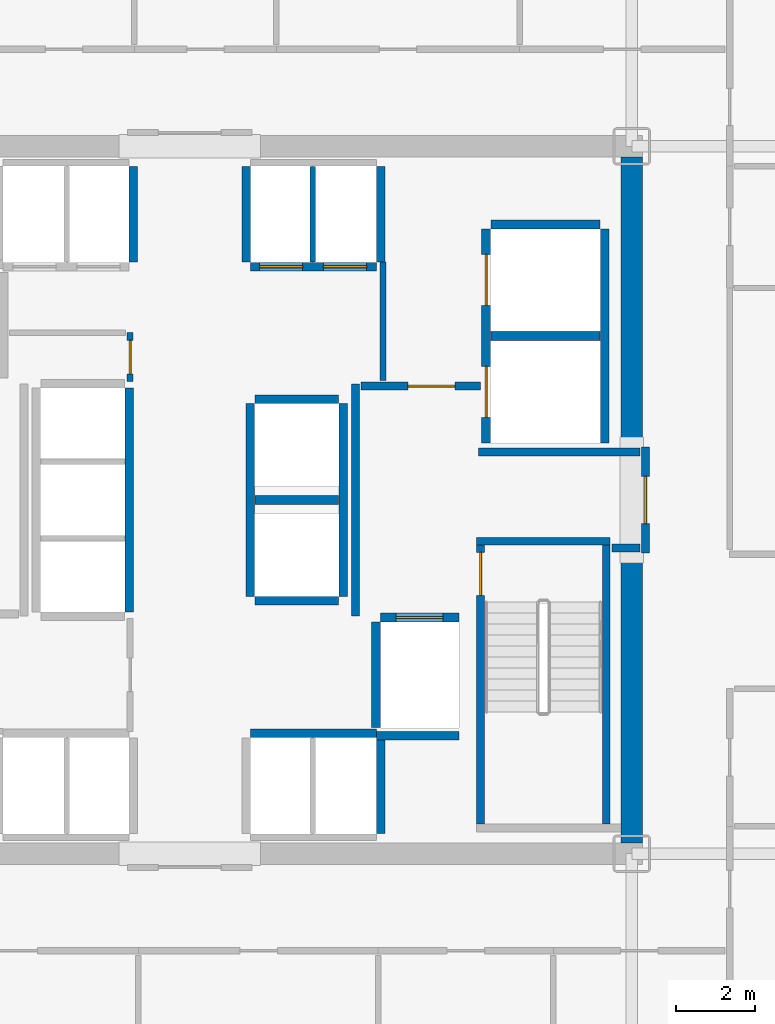
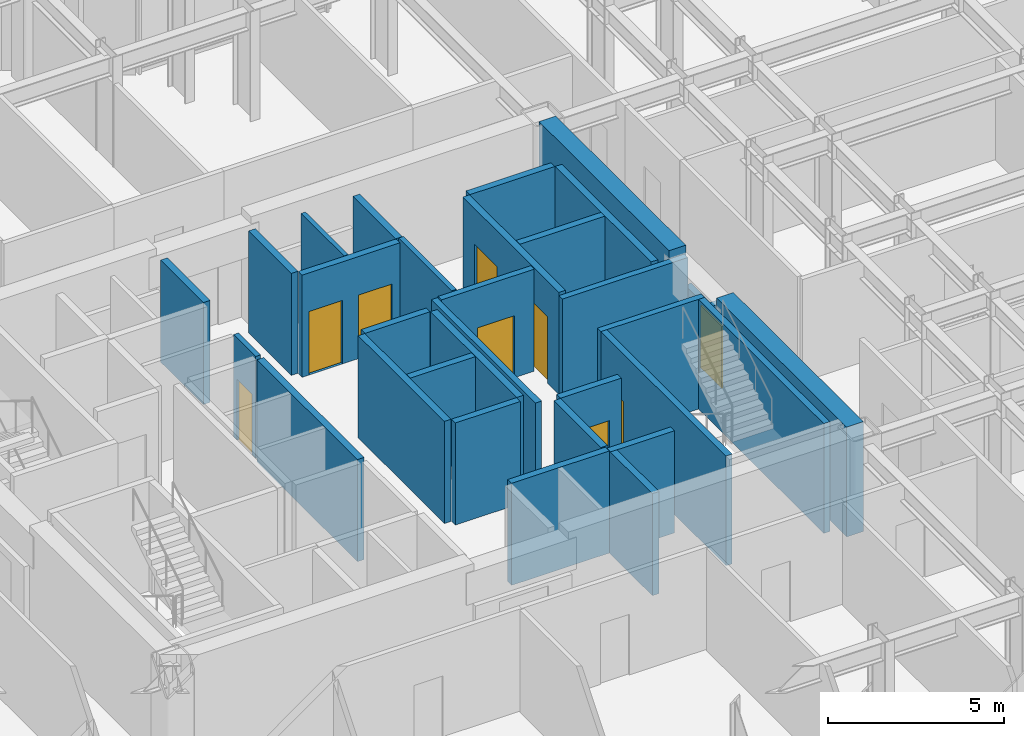
# One storey, part 22 of 26: 32 walls, 9 doors, 9 openings.
"""IFC4 building model written with IfcOpenShell, lengths in metres."""

import ifcopenshell
import ifcopenshell.guid

model = None  # the IFC model being written
_history = None  # IfcOwnerHistory: only IFC2X3 demands one
_inside = {}  # id of a spatial element -> (the spatial element, [elements in it])
_under = {}  # id of a project, library or spatial element -> (it, [spatial elements below it])
_declared = {}  # id of a project -> (the project, [libraries it declares])
_typed = {}  # id of a type object -> (the type object, [elements of that type])
_made_of = {}  # id of a material, layer set ... -> (it, [elements and type objects made of it])


def new_model(schema):
    """Start an empty IFC model of exactly this schema.

    Asked for "IFC4X3", IfcOpenShell would pick the latest addendum, in which some entities
    have other attributes; the version numbers below select the first issue.
    IFC2X3 requires an IfcOwnerHistory on every rooted entity: one is made here for all.
    """
    global model, _history
    if schema == "IFC4X3":
        model = ifcopenshell.file(schema_version=(4, 3, 0, 0))
    else:
        model = ifcopenshell.file(schema=schema)
    _inside.clear()
    _under.clear()
    _declared.clear()
    _typed.clear()
    _made_of.clear()
    _history = None
    if model.schema == "IFC2X3":
        org = make("IfcOrganization", Name="unknown")
        user = make(
            "IfcPersonAndOrganization",
            ThePerson=make("IfcPerson", FamilyName="unknown"),
            TheOrganization=org,
        )
        app = make(
            "IfcApplication",
            ApplicationDeveloper=org,
            Version="unknown",
            ApplicationFullName="unknown",
            ApplicationIdentifier="unknown",
        )
        _history = make(
            "IfcOwnerHistory",
            OwningUser=user,
            OwningApplication=app,
            ChangeAction="ADDED",
            CreationDate=0,
        )
    return model


def make(cls, **values):
    """One entity of the class cls with the attributes given. An attribute that is None is left unset."""
    return model.create_entity(
        cls, **{name: value for name, value in values.items() if value is not None}
    )


def rooted(cls, **values):
    """An entity with a GlobalId (a new one), such as an element, a storey or a relation."""
    return make(cls, GlobalId=ifcopenshell.guid.new(), OwnerHistory=_history, **values)


def si_unit(unit_type, name, prefix=None):
    """IfcSIUnit, for example si_unit("LENGTHUNIT", "METRE", prefix="MILLI")."""
    return make("IfcSIUnit", UnitType=unit_type, Prefix=prefix, Name=name)


def assignment(units):
    """IfcUnitAssignment: the units of a project."""
    return None if units is None else make("IfcUnitAssignment", Units=units)


def point(xyz):
    """IfcCartesianPoint."""
    return None if xyz is None else make("IfcCartesianPoint", Coordinates=xyz)


def direction(xyz):
    """IfcDirection."""
    return None if xyz is None else make("IfcDirection", DirectionRatios=xyz)


def frame(location, z_axis=None, x_axis=None):
    """IfcAxis2Placement3D, a coordinate frame: its origin and axes. An axis left out is left unset."""
    return make(
        "IfcAxis2Placement3D",
        Location=point(location),
        Axis=direction(z_axis),
        RefDirection=direction(x_axis),
    )


def frame_2d(location, x_axis=None):
    """IfcAxis2Placement2D, a coordinate frame in the plane: its origin and x axis."""
    return make(
        "IfcAxis2Placement2D", Location=point(location), RefDirection=direction(x_axis)
    )


def origin():
    """The frame at (0, 0, 0) with its axes left unset."""
    return frame((0.0, 0.0, 0.0))


def place(relative_to, where):
    """IfcLocalPlacement: puts the frame where relative to a parent placement (None: the world)."""
    return make(
        "IfcLocalPlacement", PlacementRelTo=relative_to, RelativePlacement=where
    )


def context(
    kind, dimensions, precision=None, world=None, true_north=None, identifier=None
):
    """IfcGeometricRepresentationContext, for example the 3D "Model" context."""
    return make(
        "IfcGeometricRepresentationContext",
        ContextIdentifier=identifier,
        ContextType=kind,
        CoordinateSpaceDimension=dimensions,
        Precision=precision,
        WorldCoordinateSystem=world,
        TrueNorth=true_north,
    )


def subcontext(parent, identifier, kind, view, scale=None):
    """IfcGeometricRepresentationSubContext, for example "Body" below "Model"."""
    return make(
        "IfcGeometricRepresentationSubContext",
        ContextIdentifier=identifier,
        ContextType=kind,
        ParentContext=parent,
        TargetScale=scale,
        TargetView=view,
    )


def project(units=None, contexts=None):
    """IfcProject with its units and contexts."""
    return rooted(
        "IfcProject",
        Name="project",
        RepresentationContexts=contexts,
        UnitsInContext=assignment(units),
    )


def spatial(cls, under=None, at=None, **own):
    """A site, building, storey or space (cls), placed at a placement, below another one or the project."""
    s = rooted(cls, ObjectPlacement=at, **own)
    if under is not None:
        _under.setdefault(under.id(), (under, []))[1].append(s)
    return s


def profile(cls, at=None, kind="AREA", **sizes):
    """A parametric profile (cls). Its sizes go by their IFC names, for example OverallWidth=200.0."""
    return make(cls, ProfileType=kind, Position=at, **sizes)


def rectangle(**sizes):
    """IfcRectangleProfileDef."""
    return profile("IfcRectangleProfileDef", **sizes)


def extrude(swept, where, along, depth):
    """IfcExtrudedAreaSolid: the profile swept, set in the frame where, extruded along a direction by depth."""
    return make(
        "IfcExtrudedAreaSolid",
        SweptArea=swept,
        Position=where,
        ExtrudedDirection=direction(along),
        Depth=depth,
    )


def shape(context_of_items, identifier, shape_type, items):
    """IfcShapeRepresentation: the items that make up one representation, for example the "Body"."""
    return make(
        "IfcShapeRepresentation",
        ContextOfItems=context_of_items,
        RepresentationIdentifier=identifier,
        RepresentationType=shape_type,
        Items=items,
    )


def source(mapping_origin, context_of_items, identifier, shape_type, items):
    """IfcRepresentationMap: a shape defined once, which mapped items show again and again."""
    return make(
        "IfcRepresentationMap",
        MappingOrigin=mapping_origin,
        MappedRepresentation=shape(context_of_items, identifier, shape_type, items),
    )


def transform(
    local_origin,
    x_axis=None,
    y_axis=None,
    z_axis=None,
    scale=None,
    scale2=None,
    scale3=None,
    uniform=True,
):
    """IfcCartesianTransformationOperator3D, or its non-uniform kind. x_axis, y_axis, z_axis: its Axis1, 2, 3."""
    if uniform:
        return make(
            "IfcCartesianTransformationOperator3D",
            Axis1=direction(x_axis),
            Axis2=direction(y_axis),
            LocalOrigin=point(local_origin),
            Scale=scale,
            Axis3=direction(z_axis),
        )
    return make(
        "IfcCartesianTransformationOperator3DnonUniform",
        Axis1=direction(x_axis),
        Axis2=direction(y_axis),
        LocalOrigin=point(local_origin),
        Scale=scale,
        Axis3=direction(z_axis),
        Scale2=scale2,
        Scale3=scale3,
    )


def mapped(mapping_source, mapping_target):
    """IfcMappedItem: shows the shape of a source again, moved by a transform."""
    return make(
        "IfcMappedItem", MappingSource=mapping_source, MappingTarget=mapping_target
    )


def material(Name=None, Category=None):
    """IfcMaterial."""
    return make("IfcMaterial", Name=Name, Category=Category)


def layer(
    of_material, thickness, ventilated=None, Name=None, Category=None, Priority=None
):
    """IfcMaterialLayer: one layer of a wall or slab, of a material (None: an air gap)."""
    return make(
        "IfcMaterialLayer",
        Material=of_material,
        LayerThickness=thickness,
        IsVentilated=ventilated,
        Name=Name,
        Category=Category,
        Priority=Priority,
    )


def layer_set(layers, Name=None):
    """IfcMaterialLayerSet."""
    return make("IfcMaterialLayerSet", MaterialLayers=layers, LayerSetName=Name)


def made_of(thing, what):
    """Note that an element or type object is made of a material, layer set ...; save() writes the relation."""
    if what is not None:
        _made_of.setdefault(what.id(), (what, []))[1].append(thing)
    return thing


def type_object(cls, material=None, **own):
    """A type object (cls), such as IfcWallType, which elements share."""
    return made_of(rooted(cls, **own), material)


def element(
    cls,
    number,
    at=None,
    inside=None,
    cuts=None,
    type_object=None,
    material=None,
    context=None,
    identifier="Body",
    shape_type=None,
    held_by="IfcProductDefinitionShape",
    body=None,
    shapes=None,
    **own,
):
    """One element of the class cls, such as IfcWall. Its Tag is "e" and its number.

    at: its placement. inside: the storey or other place that contains it. cuts: it is an
    opening in that element (IfcRelVoidsElement). A single representation is given by context,
    identifier, shape_type and body (its items); several are given by shapes. held_by: the class
    of the entity that holds the representations. save() writes the other relations.
    """
    e = rooted(cls, Tag="e%d" % number, ObjectPlacement=at, **own)
    if body is not None:
        shapes = [shape(context, identifier, shape_type, body)]
    if shapes is not None:
        e.Representation = make(held_by, Representations=shapes)
    if inside is not None:
        _inside.setdefault(inside.id(), (inside, []))[1].append(e)
    if cuts is not None:
        rooted(
            "IfcRelVoidsElement", RelatingBuildingElement=cuts, RelatedOpeningElement=e
        )
    if type_object is not None:
        _typed.setdefault(type_object.id(), (type_object, []))[1].append(e)
    return made_of(e, material)


def fill(opening, filler):
    """IfcRelFillsElement: the door or window that sits in an opening."""
    return rooted(
        "IfcRelFillsElement",
        RelatingOpeningElement=opening,
        RelatedBuildingElement=filler,
    )


def aggregate(whole, parts):
    """IfcRelAggregates: a whole, such as a stair, and the parts it consists of."""
    return rooted("IfcRelAggregates", RelatingObject=whole, RelatedObjects=parts)


def save(model, path):
    """Write the relations noted so far, then the file.

    IfcRelAggregates (storeys below a building ...), IfcRelContainedInSpatialStructure (elements
    in a storey), IfcRelDefinesByType, IfcRelAssociatesMaterial and IfcRelDeclares: one each for
    every whole, place, type object, material and project.
    """
    for whole, parts in _under.values():
        aggregate(whole, parts)
    for where, things in _inside.values():
        rooted(
            "IfcRelContainedInSpatialStructure",
            RelatedElements=things,
            RelatingStructure=where,
        )
    for kind, things in _typed.values():
        rooted("IfcRelDefinesByType", RelatedObjects=things, RelatingType=kind)
    for what, things in _made_of.values():
        rooted("IfcRelAssociatesMaterial", RelatedObjects=things, RelatingMaterial=what)
    for by, libraries in _declared.values():
        rooted("IfcRelDeclares", RelatingContext=by, RelatedDefinitions=libraries)
    model.write(path)


model = new_model("IFC4")

# Units and contexts
model_context = context("Model", 3, precision=1e-05, world=origin(), true_north=direction((0.0, 1.0)))
body_context = subcontext(model_context, "Body", "Model", "MODEL_VIEW")
ifc_project = project(units=[si_unit("LENGTHUNIT", "METRE"), si_unit("AREAUNIT", "SQUARE_METRE"), si_unit("VOLUMEUNIT", "CUBIC_METRE"), si_unit("PLANEANGLEUNIT", "RADIAN"), si_unit("MASSUNIT", "GRAM", prefix="KILO")], contexts=[model_context])

# Site, building, storey
site_placement = place(None, origin())
site = spatial("IfcSite", under=ifc_project, at=site_placement, CompositionType="ELEMENT")
building_placement = place(site_placement, origin())
building = spatial("IfcBuilding", under=site, at=building_placement, Name="Nefas-Gora Pilgrimage Tower", CompositionType="ELEMENT")
storey_placement = place(building_placement, frame((0.0, 0.0, 132.60009765625)))
storey = spatial("IfcBuildingStorey", under=building, at=storey_placement, Name="L32", CompositionType="ELEMENT", Elevation=132.60009765625)

# Walls
ifc_material_1 = material(Name="Concrete C60/75", Category="concrete")
ifc_layer_1 = layer(ifc_material_1, 0.550048828125)
ifc_layer_set_1 = layer_set([ifc_layer_1], Name="Concrete C60/75")
wall_type_1 = type_object("IfcWallType", Name="SW-CORE-550", PredefinedType="SHEAR", material=ifc_layer_set_1)
shared_shape_1 = source(origin(), body_context, "Body", "SweptSolid", [
    extrude(rectangle(XDim=7.375, YDim=0.550048828125, at=frame_2d((3.6875, 0.0))), origin(), (0.0, 0.0, 1.0), 3.7998046875),
])
for number, where, z_axis, x_axis, name in (
    (1, (11.25, -8.72509765625, 0.0), (0.0, 0.0, 1.0), (0.0, 1.0, 0.0), "L32 Core Shear Wall E-South"),
    (2, (11.25, 1.35009765625, 0.0), (0.0, 0.0, 1.0), (0.0, 1.0, 0.0), "L32 Core Shear Wall E-North"),
):
    element("IfcWall", number, at=place(storey_placement, frame(where, z_axis=z_axis, x_axis=x_axis)), inside=storey, type_object=wall_type_1, Name=name, PredefinedType="SHEAR", context=body_context, shape_type="MappedRepresentation", body=[
        mapped(shared_shape_1, transform((0.0, 0.0, 0.0), x_axis=(1.0, 0.0, 0.0), y_axis=(0.0, 1.0, 0.0), z_axis=(0.0, 0.0, 1.0), scale=1.0)),
    ])
ifc_material_2 = material(Name="Concrete C45/55", Category="concrete")
ifc_layer_2 = layer(ifc_material_2, 0.199951171875)
ifc_layer_set_2 = layer_set([ifc_layer_2], Name="Concrete C45/55")
wall_type_2 = type_object("IfcWallType", Name="IW-STAIR-200", PredefinedType="SOLIDWALL", material=ifc_layer_set_2)
shared_shape_2 = source(origin(), body_context, "Body", "SweptSolid", [
    extrude(rectangle(XDim=3.39990234375, YDim=0.199951171875, at=frame_2d((1.699951171875, 0.0))), origin(), (0.0, 0.0, 1.0), 3.7998046875),
])
wall_1_placement = place(storey_placement, frame((7.300048828125, -1.050048828125, 0.0), z_axis=(0.0, 0.0, 1.0), x_axis=(1.0, 0.0, 0.0)))
element("IfcWall", 3, at=wall_1_placement, inside=storey, type_object=wall_type_2, Name="L32 Stairwell Shear Wall ST-02-near", PredefinedType="SOLIDWALL", context=body_context, shape_type="MappedRepresentation", body=[
    mapped(shared_shape_2, transform((0.0, 0.0, 0.0), x_axis=(1.0, 0.0, 0.0), y_axis=(0.0, 1.0, 0.0), z_axis=(0.0, 0.0, 1.0), scale=1.0)),
])

# Wall, opening, door
shared_shape_3 = source(origin(), body_context, "Body", "SweptSolid", [
    extrude(rectangle(XDim=7.10009765625, YDim=0.199951171875, at=frame_2d((3.550048828125, 0.0))), origin(), (0.0, 0.0, 1.0), 3.7998046875),
])
wall_2_placement = place(storey_placement, frame((7.39990234375, -1.14990234375, 0.0), z_axis=(0.0, 0.0, 1.0), x_axis=(0.0, -1.0, 0.0)))
wall_2 = element("IfcWall", 4, at=wall_2_placement, inside=storey, type_object=wall_type_2, Name="L32 Stairwell Shear Wall ST-02-left", PredefinedType="SOLIDWALL", context=body_context, shape_type="MappedRepresentation", body=[
    mapped(shared_shape_3, transform((0.0, 0.0, 0.0), x_axis=(1.0, 0.0, 0.0), y_axis=(0.0, 1.0, 0.0), z_axis=(0.0, 0.0, 1.0), scale=1.0)),
])
opening_1_placement = place(wall_2_placement, frame((0.179931640625, 0.0, 0.0)))
opening_1 = element("IfcOpeningElement", 5, at=opening_1_placement, cuts=wall_2, Name="Opening ID-ST1", PredefinedType="OPENING", context=body_context, shape_type="SweptSolid", body=[
    extrude(rectangle(XDim=1.10009765625, YDim=2.14990234375, at=frame_2d((0.550048828125, 1.074951171875))), frame((0.0, 0.10986328125, 0.0), z_axis=(0.0, -1.0, 0.0), x_axis=(1.0, 0.0, 0.0)), (0.0, 0.0, 1.0), 0.219970703125),
])
ifc_material_3 = material(Name="Painted galvanised steel fire stair door", Category="steel")
door_type_1 = type_object("IfcDoorType", Name="DR-INT-STAIR-1100", OperationType="NOTDEFINED", PredefinedType="DOOR", material=ifc_material_3)
shared_shape_4 = source(origin(), body_context, "Body", "SweptSolid", [
    extrude(rectangle(XDim=1.10009765625, YDim=2.14990234375, at=frame_2d((0.550048828125, 1.074951171875))), frame((0.0, 0.02490234375, 0.0), z_axis=(0.0, -1.0, 0.0), x_axis=(1.0, 0.0, 0.0)), (0.0, 0.0, 1.0), 0.050048828125),
])
door_1_placement = place(opening_1_placement, origin())
door_1 = element("IfcDoor", 6, at=door_1_placement, inside=storey, type_object=door_type_1, Name="L32 Protected Exit Stair Door ST-02", OperationType="SINGLE_SWING_LEFT", OverallHeight=2.14990234375, OverallWidth=1.10009765625, PredefinedType="DOOR", context=body_context, shape_type="MappedRepresentation", body=[
    mapped(shared_shape_4, transform((0.0, 0.0, 0.0), x_axis=(1.0, 0.0, 0.0), y_axis=(0.0, 1.0, 0.0), z_axis=(0.0, 0.0, 1.0), scale=1.0)),
])
fill(opening_1, door_1)

# Wall
wall_3_placement = place(storey_placement, frame((10.60009765625, -1.14990234375, 0.0), z_axis=(0.0, 0.0, 1.0), x_axis=(0.0, -1.0, 0.0)))
element("IfcWall", 7, at=wall_3_placement, inside=storey, type_object=wall_type_2, Name="L32 Stairwell Shear Wall ST-02-right", PredefinedType="SOLIDWALL", context=body_context, shape_type="MappedRepresentation", body=[
    mapped(shared_shape_3, transform((0.0, 0.0, 0.0), x_axis=(1.0, 0.0, 0.0), y_axis=(0.0, 1.0, 0.0), z_axis=(0.0, 0.0, 1.0), scale=1.0)),
])

# Wall, opening, door
ifc_material_4 = material(Name="Concrete C40/50", Category="concrete")
ifc_layer_3 = layer(ifc_material_4, 0.219970703125)
ifc_layer_set_3 = layer_set([ifc_layer_3], Name="Concrete C40/50")
wall_type_3 = type_object("IfcWallType", Name="IW-SHAFT-220", PredefinedType="SOLIDWALL", material=ifc_layer_set_3)
shared_shape_5 = source(origin(), body_context, "Body", "SweptSolid", [
    extrude(rectangle(XDim=2.0, YDim=0.219970703125, at=frame_2d((1.0, 0.0))), origin(), (0.0, 0.0, 1.0), 3.534912109375),
])
wall_4_placement = place(storey_placement, frame((6.85009765625, -2.989990234375, 0.0), z_axis=(0.0, 0.0, 1.0), x_axis=(-1.0, 0.0, 0.0)))
wall_4 = element("IfcWall", 8, at=wall_4_placement, inside=storey, type_object=wall_type_3, Name="L32 Hoistway Wall FFL-02-N", PredefinedType="SOLIDWALL", context=body_context, shape_type="MappedRepresentation", body=[
    mapped(shared_shape_5, transform((0.0, 0.0, 0.0), x_axis=(1.0, 0.0, 0.0), y_axis=(0.0, 1.0, 0.0), z_axis=(0.0, 0.0, 1.0), scale=1.0)),
])
opening_2_placement = place(wall_4_placement, frame((0.39990234375, 0.0, 0.0)))
opening_2 = element("IfcOpeningElement", 9, at=opening_2_placement, cuts=wall_4, Name="Opening LD-FF", PredefinedType="OPENING", context=body_context, shape_type="SweptSolid", body=[
    extrude(rectangle(XDim=1.199951171875, YDim=2.199951171875, at=frame_2d((0.60009765625, 1.10009765625))), frame((0.0, 0.119873046875, 0.0), z_axis=(0.0, -1.0, 0.0), x_axis=(1.0, 0.0, 0.0)), (0.0, 0.0, 1.0), 0.239990234375),
])
ifc_material_5 = material(Name="Fire-service sliding lift landing door")
door_type_2 = type_object("IfcDoorType", Name="DR-LIFT-FSAE-1200", OperationType="SLIDING_TO_LEFT", PredefinedType="DOOR", material=ifc_material_5)
shared_shape_6 = source(origin(), body_context, "Body", "SweptSolid", [
    extrude(rectangle(XDim=1.199951171875, YDim=2.199951171875, at=frame_2d((0.60009765625, 1.10009765625))), frame((0.0, 0.02490234375, 0.0), z_axis=(0.0, -1.0, 0.0), x_axis=(1.0, 0.0, 0.0)), (0.0, 0.0, 1.0), 0.050048828125),
])
door_2_placement = place(opening_2_placement, origin())
door_2 = element("IfcDoor", 10, at=door_2_placement, inside=storey, type_object=door_type_2, Name="L32 Sliding Lift Landing Door FFL-02", OperationType="SLIDING_TO_LEFT", OverallHeight=2.199951171875, OverallWidth=1.199951171875, PredefinedType="DOOR", context=body_context, shape_type="MappedRepresentation", body=[
    mapped(shared_shape_6, transform((0.0, 0.0, 0.0), x_axis=(1.0, 0.0, 0.0), y_axis=(0.0, 1.0, 0.0), z_axis=(0.0, 0.0, 1.0), scale=1.0)),
])
fill(opening_2, door_2)

# Wall
shared_shape_7 = source(origin(), body_context, "Body", "SweptSolid", [
    extrude(rectangle(XDim=2.679931640625, YDim=0.219970703125, at=frame_2d((1.33984375, 0.0))), origin(), (0.0, 0.0, 1.0), 3.534912109375),
])
wall_5_placement = place(storey_placement, frame((4.739990234375, -3.110107421875, 0.0), z_axis=(0.0, 0.0, 1.0), x_axis=(0.0, -1.0, 0.0)))
element("IfcWall", 11, at=wall_5_placement, inside=storey, type_object=wall_type_3, Name="L32 Hoistway Wall FFL-02-W", PredefinedType="SOLIDWALL", context=body_context, shape_type="MappedRepresentation", body=[
    mapped(shared_shape_7, transform((0.0, 0.0, 0.0), x_axis=(1.0, 0.0, 0.0), y_axis=(0.0, 1.0, 0.0), z_axis=(0.0, 0.0, 1.0), scale=1.0)),
])

# Wall, openings, doors
shared_shape_8 = source(origin(), body_context, "Body", "SweptSolid", [
    extrude(rectangle(XDim=5.449951171875, YDim=0.219970703125, at=frame_2d((2.72509765625, 0.0))), origin(), (0.0, 0.0, 1.0), 3.534912109375),
])
wall_6_placement = place(storey_placement, frame((7.5400390625, 6.89990234375, 0.0), z_axis=(0.0, 0.0, 1.0), x_axis=(0.0, -1.0, 0.0)))
wall_6 = element("IfcWall", 12, at=wall_6_placement, inside=storey, type_object=wall_type_3, Name="L32 Hoistway Wall SL-01-02-W", PredefinedType="SOLIDWALL", context=body_context, shape_type="MappedRepresentation", body=[
    mapped(shared_shape_8, transform((0.0, 0.0, 0.0), x_axis=(1.0, 0.0, 0.0), y_axis=(0.0, 1.0, 0.0), z_axis=(0.0, 0.0, 1.0), scale=1.0)),
])
opening_3_placement = place(wall_6_placement, frame((3.5, 0.0, 0.0)))
opening_3 = element("IfcOpeningElement", 13, at=opening_3_placement, cuts=wall_6, Name="Opening LD-SV", PredefinedType="OPENING", context=body_context, shape_type="SweptSolid", body=[
    extrude(rectangle(XDim=1.300048828125, YDim=2.300048828125, at=frame_2d((0.64990234375, 1.14990234375))), frame((0.0, 0.119873046875, 0.0), z_axis=(0.0, -1.0, 0.0), x_axis=(1.0, 0.0, 0.0)), (0.0, 0.0, 1.0), 0.239990234375),
])
opening_4_placement = place(wall_6_placement, frame((0.64990234375, 0.0, 0.0)))
opening_4 = element("IfcOpeningElement", 14, at=opening_4_placement, cuts=wall_6, Name="Opening LD-SV", PredefinedType="OPENING", context=body_context, shape_type="SweptSolid", body=[
    extrude(rectangle(XDim=1.300048828125, YDim=2.300048828125, at=frame_2d((0.64990234375, 1.14990234375))), frame((0.0, 0.119873046875, 0.0), z_axis=(0.0, -1.0, 0.0), x_axis=(1.0, 0.0, 0.0)), (0.0, 0.0, 1.0), 0.239990234375),
])
ifc_material_6 = material(Name="Heavy goods sliding lift landing door")
door_type_3 = type_object("IfcDoorType", Name="DR-LIFT-SERV-1300", OperationType="SLIDING_TO_RIGHT", PredefinedType="DOOR", material=ifc_material_6)
shared_shape_9 = source(origin(), body_context, "Body", "SweptSolid", [
    extrude(rectangle(XDim=1.300048828125, YDim=2.300048828125, at=frame_2d((0.64990234375, 1.14990234375))), frame((0.0, 0.02490234375, 0.0), z_axis=(0.0, -1.0, 0.0), x_axis=(1.0, 0.0, 0.0)), (0.0, 0.0, 1.0), 0.050048828125),
])
door_3_placement = place(opening_3_placement, origin())
door_3 = element("IfcDoor", 15, at=door_3_placement, inside=storey, type_object=door_type_3, Name="L32 Sliding Lift Landing Door SL-01", OperationType="SLIDING_TO_RIGHT", OverallHeight=2.300048828125, OverallWidth=1.300048828125, PredefinedType="DOOR", context=body_context, shape_type="MappedRepresentation", body=[
    mapped(shared_shape_9, transform((0.0, 0.0, 0.0), x_axis=(1.0, 0.0, 0.0), y_axis=(0.0, 1.0, 0.0), z_axis=(0.0, 0.0, 1.0), scale=1.0)),
])
fill(opening_3, door_3)
door_4_placement = place(opening_4_placement, origin())
door_4 = element("IfcDoor", 16, at=door_4_placement, inside=storey, type_object=door_type_3, Name="L32 Sliding Lift Landing Door SL-02", OperationType="SLIDING_TO_RIGHT", OverallHeight=2.300048828125, OverallWidth=1.300048828125, PredefinedType="DOOR", context=body_context, shape_type="MappedRepresentation", body=[
    mapped(shared_shape_9, transform((0.0, 0.0, 0.0), x_axis=(1.0, 0.0, 0.0), y_axis=(0.0, 1.0, 0.0), z_axis=(0.0, 0.0, 1.0), scale=1.0)),
])
fill(opening_4, door_4)

# Walls
wall_7_placement = place(storey_placement, frame((10.56005859375, 1.449951171875, 0.0), z_axis=(0.0, 0.0, 1.0), x_axis=(0.0, 1.0, 0.0)))
element("IfcWall", 17, at=wall_7_placement, inside=storey, type_object=wall_type_3, Name="L32 Hoistway Wall SL-01-02-E", PredefinedType="SOLIDWALL", context=body_context, shape_type="MappedRepresentation", body=[
    mapped(shared_shape_8, transform((0.0, 0.0, 0.0), x_axis=(1.0, 0.0, 0.0), y_axis=(0.0, 1.0, 0.0), z_axis=(0.0, 0.0, 1.0), scale=1.0)),
])
shared_shape_10 = source(origin(), body_context, "Body", "SweptSolid", [
    extrude(rectangle(XDim=2.780029296875, YDim=0.219970703125, at=frame_2d((1.39013671875, 0.0))), origin(), (0.0, 0.0, 1.0), 3.534912109375),
])
for number, where, z_axis, x_axis, name in (
    (18, (7.659912109375, 4.175048828125, 0.0), (0.0, 0.0, 1.0), (1.0, 0.0, 0.0), "L32 Hoistway Wall SL-01-02-DIV"),
    (19, (10.43994140625, 7.010009765625, 0.0), (0.0, 0.0, 1.0), (-1.0, 0.0, 0.0), "L32 Hoistway Wall SL-02-N"),
):
    element("IfcWall", number, at=place(storey_placement, frame(where, z_axis=z_axis, x_axis=x_axis)), inside=storey, type_object=wall_type_3, Name=name, PredefinedType="SOLIDWALL", context=body_context, shape_type="MappedRepresentation", body=[
        mapped(shared_shape_10, transform((0.0, 0.0, 0.0), x_axis=(1.0, 0.0, 0.0), y_axis=(0.0, 1.0, 0.0), z_axis=(0.0, 0.0, 1.0), scale=1.0)),
    ])

# Wall, openings, doors
shared_shape_11 = source(origin(), body_context, "Body", "SweptSolid", [
    extrude(rectangle(XDim=3.199951171875, YDim=0.219970703125, at=frame_2d((1.60009765625, 0.0))), origin(), (0.0, 0.0, 1.0), 3.534912109375),
])
wall_8_placement = place(storey_placement, frame((1.550048828125, 5.93994140625, 0.0), z_axis=(0.0, 0.0, 1.0), x_axis=(1.0, 0.0, 0.0)))
wall_8 = element("IfcWall", 20, at=wall_8_placement, inside=storey, type_object=wall_type_3, Name="L32 Hoistway Wall PL1-E-S", PredefinedType="SOLIDWALL", context=body_context, shape_type="MappedRepresentation", body=[
    mapped(shared_shape_11, transform((0.0, 0.0, 0.0), x_axis=(1.0, 0.0, 0.0), y_axis=(0.0, 1.0, 0.0), z_axis=(0.0, 0.0, 1.0), scale=1.0)),
])
opening_5_placement = place(wall_8_placement, frame((0.22509765625, 0.0, 0.0)))
opening_5 = element("IfcOpeningElement", 21, at=opening_5_placement, cuts=wall_8, Name="Opening LD-01", PredefinedType="OPENING", context=body_context, shape_type="SweptSolid", body=[
    extrude(rectangle(XDim=1.10009765625, YDim=2.199951171875, at=frame_2d((0.550048828125, 1.10009765625))), frame((0.0, 0.119873046875, 0.0), z_axis=(0.0, -1.0, 0.0), x_axis=(1.0, 0.0, 0.0)), (0.0, 0.0, 1.0), 0.239990234375),
])
opening_6_placement = place(wall_8_placement, frame((1.85009765625, 0.0, 0.0)))
opening_6 = element("IfcOpeningElement", 22, at=opening_6_placement, cuts=wall_8, Name="Opening LD-01", PredefinedType="OPENING", context=body_context, shape_type="SweptSolid", body=[
    extrude(rectangle(XDim=1.10009765625, YDim=2.199951171875, at=frame_2d((0.550048828125, 1.10009765625))), frame((0.0, 0.119873046875, 0.0), z_axis=(0.0, -1.0, 0.0), x_axis=(1.0, 0.0, 0.0)), (0.0, 0.0, 1.0), 0.239990234375),
])
ifc_material_7 = material(Name="Brushed stainless sliding lift landing door")
door_type_4 = type_object("IfcDoorType", Name="DR-LIFT-PASS-1100", OperationType="DOUBLE_DOOR_SLIDING", PredefinedType="DOOR", material=ifc_material_7)
shared_shape_12 = source(origin(), body_context, "Body", "SweptSolid", [
    extrude(rectangle(XDim=1.10009765625, YDim=2.199951171875, at=frame_2d((0.550048828125, 1.10009765625))), frame((0.0, 0.02490234375, 0.0), z_axis=(0.0, -1.0, 0.0), x_axis=(1.0, 0.0, 0.0)), (0.0, 0.0, 1.0), 0.050048828125),
])
door_5_placement = place(opening_5_placement, origin())
door_5 = element("IfcDoor", 23, at=door_5_placement, inside=storey, type_object=door_type_4, Name="L32 Sliding Lift Landing Door PL1-03", OperationType="DOUBLE_DOOR_SLIDING", OverallHeight=2.199951171875, OverallWidth=1.10009765625, PredefinedType="DOOR", context=body_context, shape_type="MappedRepresentation", body=[
    mapped(shared_shape_12, transform((0.0, 0.0, 0.0), x_axis=(1.0, 0.0, 0.0), y_axis=(0.0, 1.0, 0.0), z_axis=(0.0, 0.0, 1.0), scale=1.0)),
])
fill(opening_5, door_5)
door_6_placement = place(opening_6_placement, origin())
door_6 = element("IfcDoor", 24, at=door_6_placement, inside=storey, type_object=door_type_4, Name="L32 Sliding Lift Landing Door PL1-04", OperationType="DOUBLE_DOOR_SLIDING", OverallHeight=2.199951171875, OverallWidth=1.10009765625, PredefinedType="DOOR", context=body_context, shape_type="MappedRepresentation", body=[
    mapped(shared_shape_12, transform((0.0, 0.0, 0.0), x_axis=(1.0, 0.0, 0.0), y_axis=(0.0, 1.0, 0.0), z_axis=(0.0, 0.0, 1.0), scale=1.0)),
])
fill(opening_6, door_6)

# Walls
wall_9_placement = place(storey_placement, frame((4.75, -5.93994140625, 0.0), z_axis=(0.0, 0.0, 1.0), x_axis=(-1.0, 0.0, 0.0)))
element("IfcWall", 25, at=wall_9_placement, inside=storey, type_object=wall_type_3, Name="L32 Hoistway Wall PL2-E-N", PredefinedType="SOLIDWALL", context=body_context, shape_type="MappedRepresentation", body=[
    mapped(shared_shape_11, transform((0.0, 0.0, 0.0), x_axis=(1.0, 0.0, 0.0), y_axis=(0.0, 1.0, 0.0), z_axis=(0.0, 0.0, 1.0), scale=1.0)),
])
shared_shape_13 = source(origin(), body_context, "Body", "SweptSolid", [
    extrude(rectangle(XDim=2.429931640625, YDim=0.219970703125, at=frame_2d((1.21484375, 0.0))), origin(), (0.0, 0.0, 1.0), 3.534912109375),
])
for number, where, z_axis, x_axis, name in (
    (26, (-1.43994140625, 6.06005859375, 0.0), (0.0, 0.0, 1.0), (0.0, 1.0, 0.0), "L32 Hoistway Wall PL1-W-E"),
    (27, (1.43994140625, 8.489990234375, 0.0), (0.0, 0.0, 1.0), (0.0, -1.0, 0.0), "L32 Hoistway Wall PL1-E-W"),
    (28, (4.860107421875, 6.06005859375, 0.0), (0.0, 0.0, 1.0), (0.0, 1.0, 0.0), "L32 Hoistway Wall PL1-E-E"),
    (29, (4.860107421875, -8.489990234375, 0.0), (0.0, 0.0, 1.0), (0.0, 1.0, 0.0), "L32 Hoistway Wall PL2-E-E"),
):
    element("IfcWall", number, at=place(storey_placement, frame(where, z_axis=z_axis, x_axis=x_axis)), inside=storey, type_object=wall_type_3, Name=name, PredefinedType="SOLIDWALL", context=body_context, shape_type="MappedRepresentation", body=[
        mapped(shared_shape_13, transform((0.0, 0.0, 0.0), x_axis=(1.0, 0.0, 0.0), y_axis=(0.0, 1.0, 0.0), z_axis=(0.0, 0.0, 1.0), scale=1.0)),
    ])
ifc_material_8 = material(Name="Gypsum twin-stud partition")
ifc_layer_4 = layer(ifc_material_8, 0.139892578125)
ifc_layer_set_4 = layer_set([ifc_layer_4], Name="Gypsum twin-stud partition")
wall_type_4 = type_object("IfcWallType", Name="IW-UNIT-140", PredefinedType="PARTITIONING", material=ifc_layer_set_4)
shared_shape_14 = source(origin(), body_context, "Body", "SweptSolid", [
    extrude(rectangle(XDim=2.429931640625, YDim=0.139892578125, at=frame_2d((1.21484375, 0.0))), origin(), (0.0, 0.0, 1.0), 3.534912109375),
])
wall_10_placement = place(storey_placement, frame((3.125, 6.06005859375, 0.0), z_axis=(0.0, 0.0, 1.0), x_axis=(0.0, 1.0, 0.0)))
element("IfcWall", 30, at=wall_10_placement, inside=storey, type_object=wall_type_4, Name="L32 Hoistway Wall PL1-E-DIV", PredefinedType="PARTITIONING", context=body_context, shape_type="MappedRepresentation", body=[
    mapped(shared_shape_14, transform((0.0, 0.0, 0.0), x_axis=(1.0, 0.0, 0.0), y_axis=(0.0, 1.0, 0.0), z_axis=(0.0, 0.0, 1.0), scale=1.0)),
])
shared_shape_15 = source(origin(), body_context, "Body", "SweptSolid", [
    extrude(rectangle(XDim=5.7001953125, YDim=0.219970703125, at=frame_2d((2.85009765625, 0.0))), origin(), (0.0, 0.0, 1.0), 3.534912109375),
])
wall_11_placement = place(storey_placement, frame((-1.5400390625, -2.85009765625, 0.0), z_axis=(0.0, 0.0, 1.0), x_axis=(0.0, 1.0, 0.0)))
element("IfcWall", 31, at=wall_11_placement, inside=storey, type_object=wall_type_3, Name="L32 Hoistway Wall PL3-01-03-E", PredefinedType="SOLIDWALL", context=body_context, shape_type="MappedRepresentation", body=[
    mapped(shared_shape_15, transform((0.0, 0.0, 0.0), x_axis=(1.0, 0.0, 0.0), y_axis=(0.0, 1.0, 0.0), z_axis=(0.0, 0.0, 1.0), scale=1.0)),
])
shared_shape_16 = source(origin(), body_context, "Body", "SweptSolid", [
    extrude(rectangle(XDim=2.130126953125, YDim=0.219970703125, at=frame_2d((1.06494140625, 0.0))), origin(), (0.0, 0.0, 1.0), 3.534912109375),
])
for number, where, z_axis, x_axis, name in (
    (32, (1.659912109375, -2.56005859375, 0.0), (0.0, 0.0, 1.0), (1.0, 0.0, 0.0), "L32 Hoistway Wall OBS-01-S"),
    (33, (1.659912109375, 0.0, 0.0), (0.0, 0.0, 1.0), (1.0, 0.0, 0.0), "L32 Hoistway Wall OBS-01-02-DIV"),
    (34, (3.7900390625, 2.56005859375, 0.0), (0.0, 0.0, 1.0), (-1.0, 0.0, 0.0), "L32 Hoistway Wall OBS-02-N"),
):
    element("IfcWall", number, at=place(storey_placement, frame(where, z_axis=z_axis, x_axis=x_axis)), inside=storey, type_object=wall_type_3, Name=name, PredefinedType="SOLIDWALL", context=body_context, shape_type="MappedRepresentation", body=[
        mapped(shared_shape_16, transform((0.0, 0.0, 0.0), x_axis=(1.0, 0.0, 0.0), y_axis=(0.0, 1.0, 0.0), z_axis=(0.0, 0.0, 1.0), scale=1.0)),
    ])
shared_shape_17 = source(origin(), body_context, "Body", "SweptSolid", [
    extrude(rectangle(XDim=4.89990234375, YDim=0.219970703125, at=frame_2d((2.449951171875, 0.0))), origin(), (0.0, 0.0, 1.0), 3.534912109375),
])
for number, where, z_axis, x_axis, name in (
    (35, (1.5400390625, 2.449951171875, 0.0), (0.0, 0.0, 1.0), (0.0, -1.0, 0.0), "L32 Hoistway Wall OBS-01-02-W"),
    (36, (3.909912109375, -2.449951171875, 0.0), (0.0, 0.0, 1.0), (0.0, 1.0, 0.0), "L32 Hoistway Wall OBS-01-02-E"),
):
    element("IfcWall", number, at=place(storey_placement, frame(where, z_axis=z_axis, x_axis=x_axis)), inside=storey, type_object=wall_type_3, Name=name, PredefinedType="SOLIDWALL", context=body_context, shape_type="MappedRepresentation", body=[
        mapped(shared_shape_17, transform((0.0, 0.0, 0.0), x_axis=(1.0, 0.0, 0.0), y_axis=(0.0, 1.0, 0.0), z_axis=(0.0, 0.0, 1.0), scale=1.0)),
    ])
shared_shape_18 = source(origin(), body_context, "Body", "SweptSolid", [
    extrude(rectangle(XDim=2.09521484375, YDim=0.219970703125, at=frame_2d((1.047607421875, 0.0))), origin(), (0.0, 0.0, 1.0), 3.534912109375),
])
wall_12_placement = place(storey_placement, frame((4.7548828125, -6.0, 0.0), z_axis=(0.0, 0.0, 1.0), x_axis=(1.0, 0.0, 0.0)))
element("IfcWall", 37, at=wall_12_placement, inside=storey, type_object=wall_type_3, Name="L32 Riser Shaft Wall 2", PredefinedType="SOLIDWALL", context=body_context, shape_type="MappedRepresentation", body=[
    mapped(shared_shape_18, transform((0.0, 0.0, 0.0), x_axis=(1.0, 0.0, 0.0), y_axis=(0.0, 1.0, 0.0), z_axis=(0.0, 0.0, 1.0), scale=1.0)),
])
ifc_material_9 = material(Name="Gypsum fire-rated shaftwall")
ifc_layer_5 = layer(ifc_material_9, 0.199951171875)
ifc_layer_set_5 = layer_set([ifc_layer_5], Name="Gypsum fire-rated shaftwall")
wall_type_5 = type_object("IfcWallType", Name="IW-FFLOB-200", PredefinedType="PARTITIONING", material=ifc_layer_set_5)
shared_shape_19 = source(origin(), body_context, "Body", "SweptSolid", [
    extrude(rectangle(XDim=5.89990234375, YDim=0.199951171875, at=frame_2d((2.949951171875, 0.0))), origin(), (0.0, 0.0, 1.0), 3.534912109375),
])
wall_13_placement = place(storey_placement, frame((4.219970703125, -2.949951171875, 0.0), z_axis=(0.0, 0.0, 1.0), x_axis=(0.0, 1.0, 0.0)))
element("IfcWall", 38, at=wall_13_placement, inside=storey, type_object=wall_type_5, Name="L32 FF Lobby East Inner Wall Wall 9", PredefinedType="PARTITIONING", context=body_context, shape_type="MappedRepresentation", body=[
    mapped(shared_shape_19, transform((0.0, 0.0, 0.0), x_axis=(1.0, 0.0, 0.0), y_axis=(0.0, 1.0, 0.0), z_axis=(0.0, 0.0, 1.0), scale=1.0)),
])
shared_shape_20 = source(origin(), body_context, "Body", "SweptSolid", [
    extrude(rectangle(XDim=0.719970703125, YDim=0.199951171875, at=frame_2d((0.35986328125, 0.0))), origin(), (0.0, 0.0, 1.0), 3.534912109375),
])
wall_14_placement = place(storey_placement, frame((10.739990234375, -1.219970703125, 0.0), z_axis=(0.0, 0.0, 1.0), x_axis=(1.0, 0.0, 0.0)))
element("IfcWall", 39, at=wall_14_placement, inside=storey, type_object=wall_type_5, Name="L32 FF Lobby East Throat S Wall 12", PredefinedType="PARTITIONING", context=body_context, shape_type="MappedRepresentation", body=[
    mapped(shared_shape_20, transform((0.0, 0.0, 0.0), x_axis=(1.0, 0.0, 0.0), y_axis=(0.0, 1.0, 0.0), z_axis=(0.0, 0.0, 1.0), scale=1.0)),
])

# Wall, opening, door
shared_shape_21 = source(origin(), body_context, "Body", "SweptSolid", [
    extrude(rectangle(XDim=3.039794921875, YDim=0.199951171875, at=frame_2d((1.52001953125, 0.0))), origin(), (0.0, 0.0, 1.0), 3.534912109375),
])
wall_15_placement = place(storey_placement, frame((4.360107421875, 2.89990234375, 0.0), z_axis=(0.0, 0.0, 1.0), x_axis=(1.0, 0.0, 0.0)))
wall_15 = element("IfcWall", 40, at=wall_15_placement, inside=storey, type_object=wall_type_5, Name="L32 FF Lobby East North Wall Wall 10", PredefinedType="PARTITIONING", context=body_context, shape_type="MappedRepresentation", body=[
    mapped(shared_shape_21, transform((0.0, 0.0, 0.0), x_axis=(1.0, 0.0, 0.0), y_axis=(0.0, 1.0, 0.0), z_axis=(0.0, 0.0, 1.0), scale=1.0)),
])
opening_7_placement = place(wall_15_placement, frame((1.18994140625, 0.0, 0.0)))
opening_7 = element("IfcOpeningElement", 41, at=opening_7_placement, cuts=wall_15, Name="Opening ID-PL1", PredefinedType="OPENING", context=body_context, shape_type="SweptSolid", body=[
    extrude(rectangle(XDim=1.199951171875, YDim=2.14990234375, at=frame_2d((0.60009765625, 1.074951171875))), frame((0.0, 0.10986328125, 0.0), z_axis=(0.0, -1.0, 0.0), x_axis=(1.0, 0.0, 0.0)), (0.0, 0.0, 1.0), 0.219970703125),
])
ifc_material_10 = material(Name="Heavy-duty steel plant room fire door", Category="steel")
door_type_5 = type_object("IfcDoorType", Name="DR-INT-PLANT-1200", OperationType="NOTDEFINED", PredefinedType="DOOR", material=ifc_material_10)
shared_shape_22 = source(origin(), body_context, "Body", "SweptSolid", [
    extrude(rectangle(XDim=1.199951171875, YDim=2.14990234375, at=frame_2d((0.60009765625, 1.074951171875))), frame((0.0, 0.02490234375, 0.0), z_axis=(0.0, -1.0, 0.0), x_axis=(1.0, 0.0, 0.0)), (0.0, 0.0, 1.0), 0.050048828125),
])
door_7_placement = place(opening_7_placement, origin())
door_7 = element("IfcDoor", 42, at=door_7_placement, inside=storey, type_object=door_type_5, Name="L32 Service Lift Lobby Door Door 3", OperationType="SINGLE_SWING_RIGHT", OverallHeight=2.14990234375, OverallWidth=1.199951171875, PredefinedType="DOOR", context=body_context, shape_type="MappedRepresentation", body=[
    mapped(shared_shape_22, transform((0.0, 0.0, 0.0), x_axis=(1.0, 0.0, 0.0), y_axis=(0.0, 1.0, 0.0), z_axis=(0.0, 0.0, 1.0), scale=1.0)),
])
fill(opening_7, door_7)

# Walls
shared_shape_23 = source(origin(), body_context, "Body", "SweptSolid", [
    extrude(rectangle(XDim=4.10986328125, YDim=0.199951171875, at=frame_2d((2.054931640625, 0.0))), origin(), (0.0, 0.0, 1.0), 3.534912109375),
])
wall_16_placement = place(storey_placement, frame((7.35009765625, 1.219970703125, 0.0), z_axis=(0.0, 0.0, 1.0), x_axis=(1.0, 0.0, 0.0)))
element("IfcWall", 43, at=wall_16_placement, inside=storey, type_object=wall_type_5, Name="L32 FF Lobby East Throat N Wall 11", PredefinedType="PARTITIONING", context=body_context, shape_type="MappedRepresentation", body=[
    mapped(shared_shape_23, transform((0.0, 0.0, 0.0), x_axis=(1.0, 0.0, 0.0), y_axis=(0.0, 1.0, 0.0), z_axis=(0.0, 0.0, 1.0), scale=1.0)),
])
ifc_material_11 = material(Name="Gypsum acoustic stud partition")
ifc_layer_6 = layer(ifc_material_11, 0.159912109375)
ifc_layer_set_6 = layer_set([ifc_layer_6], Name="Gypsum acoustic stud partition")
wall_type_6 = type_object("IfcWallType", Name="IW-CORR-160", PredefinedType="PARTITIONING", material=ifc_layer_set_6)
shared_shape_24 = source(origin(), body_context, "Body", "SweptSolid", [
    extrude(rectangle(XDim=3.014892578125, YDim=0.159912109375, at=frame_2d((1.50732421875, 0.0))), origin(), (0.0, 0.0, 1.0), 3.534912109375),
])
wall_17_placement = place(storey_placement, frame((4.919921875, 3.0400390625, 0.0), z_axis=(0.0, 0.0, 1.0), x_axis=(0.0, 1.0, 0.0)))
element("IfcWall", 44, at=wall_17_placement, inside=storey, type_object=wall_type_6, Name="L32 Service Lift Lobby West Wall Wall 15", PredefinedType="PARTITIONING", context=body_context, shape_type="MappedRepresentation", body=[
    mapped(shared_shape_24, transform((0.0, 0.0, 0.0), x_axis=(1.0, 0.0, 0.0), y_axis=(0.0, 1.0, 0.0), z_axis=(0.0, 0.0, 1.0), scale=1.0)),
])

# Wall, opening, door
shared_shape_25 = source(origin(), body_context, "Body", "SweptSolid", [
    extrude(rectangle(XDim=1.25, YDim=0.159912109375, at=frame_2d((0.625, 0.0))), origin(), (0.0, 0.0, 1.0), 3.534912109375),
])
wall_18_placement = place(storey_placement, frame((-1.52001953125, 3.010009765625, 0.0), z_axis=(0.0, 0.0, 1.0), x_axis=(0.0, 1.0, 0.0)))
wall_18 = element("IfcWall", 45, at=wall_18_placement, inside=storey, type_object=wall_type_6, Name="L32 Housekeeping and Linen Store Wall 16", PredefinedType="PARTITIONING", context=body_context, shape_type="MappedRepresentation", body=[
    mapped(shared_shape_25, transform((0.0, 0.0, 0.0), x_axis=(1.0, 0.0, 0.0), y_axis=(0.0, 1.0, 0.0), z_axis=(0.0, 0.0, 1.0), scale=1.0)),
])
opening_8_placement = place(wall_18_placement, frame((0.199951171875, 0.0, 0.0)))
opening_8 = element("IfcOpeningElement", 46, at=opening_8_placement, cuts=wall_18, Name="Opening ID-BT1", PredefinedType="OPENING", context=body_context, shape_type="SweptSolid", body=[
    extrude(rectangle(XDim=0.85009765625, YDim=2.10009765625, at=frame_2d((0.425048828125, 1.050048828125))), frame((0.0, 0.08984375, 0.0), z_axis=(0.0, -1.0, 0.0), x_axis=(1.0, 0.0, 0.0)), (0.0, 0.0, 1.0), 0.179931640625),
])
ifc_material_12 = material(Name="Moisture-resistant fire-rated timber door", Category="wood")
door_type_6 = type_object("IfcDoorType", Name="DR-INT-BATH-850", OperationType="NOTDEFINED", PredefinedType="DOOR", material=ifc_material_12)
shared_shape_26 = source(origin(), body_context, "Body", "SweptSolid", [
    extrude(rectangle(XDim=0.85009765625, YDim=2.10009765625, at=frame_2d((0.425048828125, 1.050048828125))), frame((0.0, 0.02490234375, 0.0), z_axis=(0.0, -1.0, 0.0), x_axis=(1.0, 0.0, 0.0)), (0.0, 0.0, 1.0), 0.050048828125),
])
door_8_placement = place(opening_8_placement, origin())
door_8 = element("IfcDoor", 47, at=door_8_placement, inside=storey, type_object=door_type_6, Name="L32 Housekeeping and Linen Store Door 6", OperationType="SINGLE_SWING_LEFT", OverallHeight=2.10009765625, OverallWidth=0.85009765625, PredefinedType="DOOR", context=body_context, shape_type="MappedRepresentation", body=[
    mapped(shared_shape_26, transform((0.0, 0.0, 0.0), x_axis=(1.0, 0.0, 0.0), y_axis=(0.0, 1.0, 0.0), z_axis=(0.0, 0.0, 1.0), scale=1.0)),
])
fill(opening_8, door_8)

shared_shape_27 = source(origin(), body_context, "Body", "SweptSolid", [
    extrude(rectangle(XDim=2.7001953125, YDim=0.199951171875, at=frame_2d((1.35009765625, 0.0))), origin(), (0.0, 0.0, 1.0), 2.4248046875),
])
wall_19_placement = place(storey_placement, frame((11.60009765625, -1.35009765625, 0.0), z_axis=(0.0, 0.0, 1.0), x_axis=(0.0, 1.0, 0.0)))
wall_19 = element("IfcWall", 48, at=wall_19_placement, inside=storey, type_object=wall_type_5, Name="L32 FF Lobby East Portal Wall 8", PredefinedType="PARTITIONING", context=body_context, shape_type="MappedRepresentation", body=[
    mapped(shared_shape_27, transform((0.0, 0.0, 0.0), x_axis=(1.0, 0.0, 0.0), y_axis=(0.0, 1.0, 0.0), z_axis=(0.0, 0.0, 1.0), scale=1.0)),
])
opening_9_placement = place(wall_19_placement, frame((0.75, 0.0, 0.0)))
opening_9 = element("IfcOpeningElement", 49, at=opening_9_placement, cuts=wall_19, Name="Opening ID-FF1", PredefinedType="OPENING", context=body_context, shape_type="SweptSolid", body=[
    extrude(rectangle(XDim=1.199951171875, YDim=2.14990234375, at=frame_2d((0.60009765625, 1.074951171875))), frame((0.0, 0.10986328125, 0.0), z_axis=(0.0, -1.0, 0.0), x_axis=(1.0, 0.0, 0.0)), (0.0, 0.0, 1.0), 0.219970703125),
])
ifc_material_13 = material(Name="Smoke-sealed steel firefighting lobby door", Category="steel")
door_type_7 = type_object("IfcDoorType", Name="DR-INT-FFLOB-1200", OperationType="NOTDEFINED", PredefinedType="DOOR", material=ifc_material_13)
door_9_placement = place(opening_9_placement, origin())
door_9 = element("IfcDoor", 50, at=door_9_placement, inside=storey, type_object=door_type_7, Name="L32 FF Lobby East Portal Door 2", OperationType="SINGLE_SWING_LEFT", OverallHeight=2.14990234375, OverallWidth=1.199951171875, PredefinedType="DOOR", context=body_context, shape_type="MappedRepresentation", body=[
    mapped(shared_shape_22, transform((0.0, 0.0, 0.0), x_axis=(1.0, 0.0, 0.0), y_axis=(0.0, 1.0, 0.0), z_axis=(0.0, 0.0, 1.0), scale=1.0)),
])
fill(opening_9, door_9)

save(model, "model.ifc")
